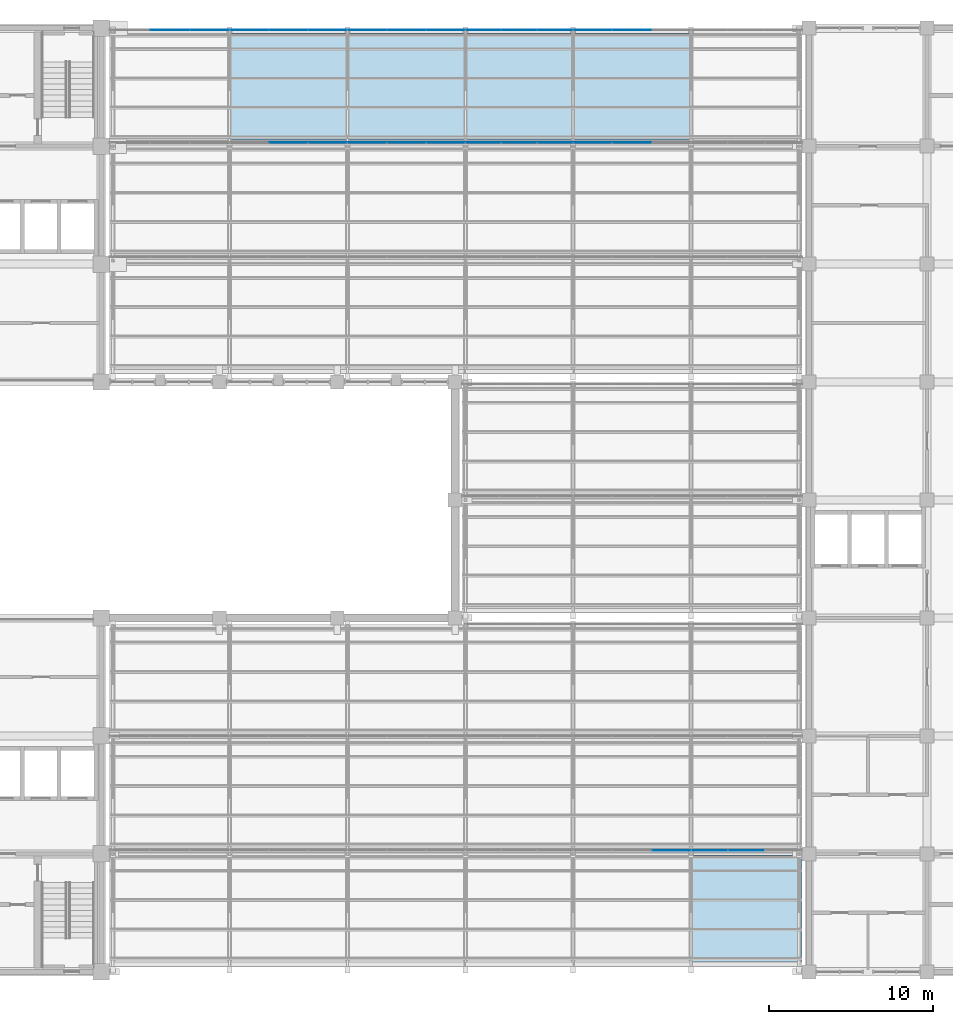
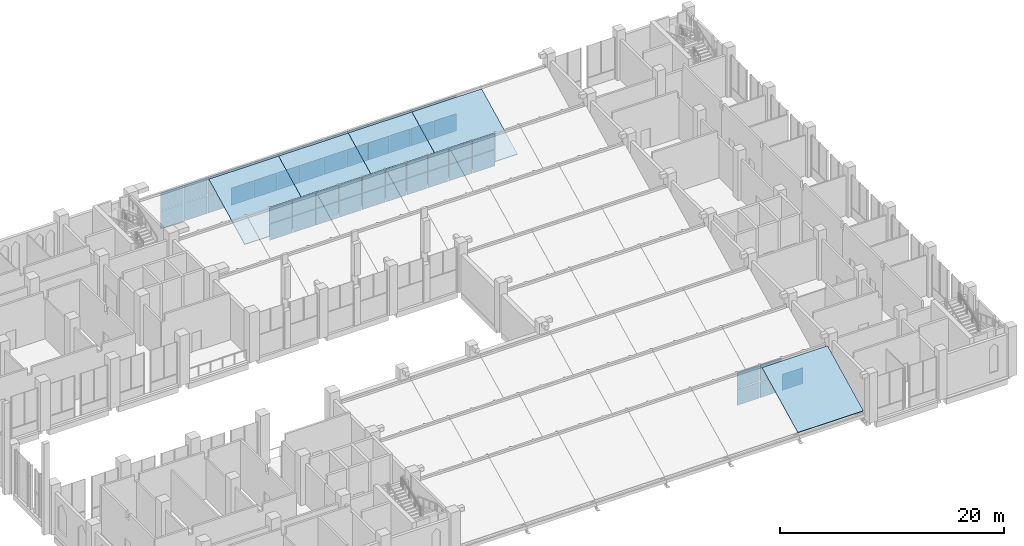
# One storey, part 65 of 83: 51 plates, 5 slabs, 11 elements without a shape of their own.
"""IFC4 building model written with IfcOpenShell, lengths in metres."""

from ifc_helpers import new_model, si_unit, direction, frame, origin, place, context, subcontext, project, spatial, polyline, outline, extrude, material, layer, layer_set, type_object, element, aggregate, save


model = new_model("IFC4")

# Units and contexts
model_context = context("Model", 3, precision=1e-05, world=origin(), true_north=direction((0.0, 1.0)))
body_context = subcontext(model_context, "Body", "Model", "MODEL_VIEW")
ifc_project = project(units=[si_unit("LENGTHUNIT", "METRE"), si_unit("AREAUNIT", "SQUARE_METRE"), si_unit("VOLUMEUNIT", "CUBIC_METRE"), si_unit("PLANEANGLEUNIT", "RADIAN"), si_unit("MASSUNIT", "GRAM", prefix="KILO")], contexts=[model_context])

# Site, building, storey
site_placement = place(None, origin())
site = spatial("IfcSite", under=ifc_project, at=site_placement, CompositionType="ELEMENT")
building_placement = place(site_placement, origin())
building = spatial("IfcBuilding", under=site, at=building_placement, Name="Silangan Lancet Faculty of Sciences", CompositionType="ELEMENT")
storey_placement = place(building_placement, frame((0.0, 0.0, 11.39990234375)))
storey = spatial("IfcBuildingStorey", under=building, at=storey_placement, Name="L02", CompositionType="ELEMENT", Elevation=11.39990234375)

# Curtain wall, plates
ifc_material_1 = material(Name="Aluminium and laminated glass", Category="aluminium")
curtain_wall_type = type_object("IfcCurtainWallType", Name="North light glazing system", PredefinedType="NOTDEFINED", material=ifc_material_1)
curtain_wall_1_placement = place(storey_placement, origin())
curtain_wall_1 = element("IfcCurtainWall", 1, at=curtain_wall_1_placement, inside=storey, type_object=curtain_wall_type, Name="North light glazing NAB-2-4", PredefinedType="NOTDEFINED")
ifc_material_2 = material(Name="Laminated glass 12 + 12", Category="glass")
ifc_layer_1 = layer(ifc_material_2, 0.02392578125)
ifc_layer_set_1 = layer_set([ifc_layer_1], Name="Laminated glass 12 + 12")
plate_type_1 = type_object("IfcPlateType", Name="North light glass panel 2132x1773", PredefinedType="CURTAIN_PANEL", material=ifc_layer_set_1)
plate_1_placement = place(storey_placement, frame((51.054931640625, 50.601318359375, 0.4423828125), z_axis=(0.0, -1.0, 0.0), x_axis=(1.0, 0.0, 0.0)))
plate_1 = element("IfcPlate", 2, at=plate_1_placement, type_object=plate_type_1, Name="North light glass NAB-2-4 1-1", PredefinedType="CURTAIN_PANEL", context=body_context, shape_type="SweptSolid", body=[
    extrude(outline(polyline([(0.0, 0.0), (2.1318359375, 0.0), (2.1318359375, 1.77294921875), (0.0, 1.77294921875), (0.0, 0.0)])), origin(), (0.0, 0.0, -1.0), 0.02392578125),
])
plate_2_placement = place(storey_placement, frame((51.054931640625, 50.601318359375, 2.275390625), z_axis=(0.0, -1.0, 0.0), x_axis=(1.0, 0.0, 0.0)))
plate_2 = element("IfcPlate", 3, at=plate_2_placement, type_object=plate_type_1, Name="North light glass NAB-2-4 2-1", PredefinedType="CURTAIN_PANEL", context=body_context, shape_type="SweptSolid", body=[
    extrude(outline(polyline([(0.0, 0.0), (2.1318359375, 0.0), (2.1318359375, 1.77294921875), (0.0, 1.77294921875), (0.0, 0.0)])), origin(), (0.0, 0.0, -1.0), 0.02392578125),
])
plate_3_placement = place(storey_placement, frame((53.24658203125, 50.601318359375, 0.4423828125), z_axis=(0.0, -1.0, 0.0), x_axis=(1.0, 0.0, 0.0)))
plate_3 = element("IfcPlate", 4, at=plate_3_placement, type_object=plate_type_1, Name="North light glass NAB-2-4 1-2", PredefinedType="CURTAIN_PANEL", context=body_context, shape_type="SweptSolid", body=[
    extrude(outline(polyline([(0.0, 0.0), (2.1318359375, 0.0), (2.1318359375, 1.77294921875), (0.0, 1.77294921875), (0.0, 0.0)])), origin(), (0.0, 0.0, -1.0), 0.02392578125),
])
plate_4_placement = place(storey_placement, frame((53.24658203125, 50.601318359375, 2.275390625), z_axis=(0.0, -1.0, 0.0), x_axis=(1.0, 0.0, 0.0)))
plate_4 = element("IfcPlate", 5, at=plate_4_placement, type_object=plate_type_1, Name="North light glass NAB-2-4 2-2", PredefinedType="CURTAIN_PANEL", context=body_context, shape_type="SweptSolid", body=[
    extrude(outline(polyline([(0.0, 0.0), (2.1318359375, 0.0), (2.1318359375, 1.77294921875), (0.0, 1.77294921875), (0.0, 0.0)])), origin(), (0.0, 0.0, -1.0), 0.02392578125),
])
plate_5_placement = place(storey_placement, frame((55.438232421875, 50.601318359375, 0.4423828125), z_axis=(0.0, -1.0, 0.0), x_axis=(1.0, 0.0, 0.0)))
plate_5 = element("IfcPlate", 6, at=plate_5_placement, type_object=plate_type_1, Name="North light glass NAB-2-4 1-3", PredefinedType="CURTAIN_PANEL", context=body_context, shape_type="SweptSolid", body=[
    extrude(outline(polyline([(0.0, 0.0), (2.1318359375, 0.0), (2.1318359375, 1.77294921875), (0.0, 1.77294921875), (0.0, 0.0)])), origin(), (0.0, 0.0, -1.0), 0.02392578125),
])
plate_6_placement = place(storey_placement, frame((55.438232421875, 50.601318359375, 2.275390625), z_axis=(0.0, -1.0, 0.0), x_axis=(1.0, 0.0, 0.0)))
plate_6 = element("IfcPlate", 7, at=plate_6_placement, type_object=plate_type_1, Name="North light glass NAB-2-4 2-3", PredefinedType="CURTAIN_PANEL", context=body_context, shape_type="SweptSolid", body=[
    extrude(outline(polyline([(0.0, 0.0), (2.1318359375, 0.0), (2.1318359375, 1.77294921875), (0.0, 1.77294921875), (0.0, 0.0)])), origin(), (0.0, 0.0, -1.0), 0.02392578125),
])
aggregate(curtain_wall_1, [plate_1, plate_2, plate_3, plate_4, plate_5, plate_6])

curtain_wall_2_placement = place(storey_placement, origin())
curtain_wall_2 = element("IfcCurtainWall", 8, at=curtain_wall_2_placement, inside=storey, type_object=curtain_wall_type, Name="North light glazing NAB-3-4", PredefinedType="NOTDEFINED")
ifc_material_3 = material(Name="Laminated glass 12 + 12", Category="glass")
ifc_layer_2 = layer(ifc_material_3, 0.02392578125)
ifc_layer_set_2 = layer_set([ifc_layer_2], Name="Laminated glass 12 + 12")
plate_type_2 = type_object("IfcPlateType", Name="North light glass panel 2132x1917", PredefinedType="CURTAIN_PANEL", material=ifc_layer_set_2)
plate_7_placement = place(storey_placement, frame((51.054931640625, 57.472900390625, 0.10009765625), z_axis=(0.0, -1.0, 0.0), x_axis=(1.0, 0.0, 0.0)))
plate_7 = element("IfcPlate", 9, at=plate_7_placement, type_object=plate_type_2, Name="North light glass NAB-3-4 1-1", PredefinedType="CURTAIN_PANEL", context=body_context, shape_type="SweptSolid", body=[
    extrude(outline(polyline([(0.0, 0.0), (2.1318359375, 0.0), (2.1318359375, 1.9169921875), (0.0, 1.9169921875), (0.0, 0.0)])), origin(), (0.0, 0.0, -1.0), 0.02392578125),
])
plate_8_placement = place(storey_placement, frame((51.054931640625, 57.472900390625, 2.0771484375), z_axis=(0.0, -1.0, 0.0), x_axis=(1.0, 0.0, 0.0)))
plate_8 = element("IfcPlate", 10, at=plate_8_placement, type_object=plate_type_2, Name="North light glass NAB-3-4 2-1", PredefinedType="CURTAIN_PANEL", context=body_context, shape_type="SweptSolid", body=[
    extrude(outline(polyline([(0.0, 0.0), (2.1318359375, 0.0), (2.1318359375, 1.9169921875), (0.0, 1.9169921875), (0.0, 0.0)])), origin(), (0.0, 0.0, -1.0), 0.02392578125),
])
plate_9_placement = place(storey_placement, frame((53.24658203125, 57.472900390625, 0.10009765625), z_axis=(0.0, -1.0, 0.0), x_axis=(1.0, 0.0, 0.0)))
plate_9 = element("IfcPlate", 11, at=plate_9_placement, type_object=plate_type_2, Name="North light glass NAB-3-4 1-2", PredefinedType="CURTAIN_PANEL", context=body_context, shape_type="SweptSolid", body=[
    extrude(outline(polyline([(0.0, 0.0), (2.1318359375, 0.0), (2.1318359375, 1.9169921875), (0.0, 1.9169921875), (0.0, 0.0)])), origin(), (0.0, 0.0, -1.0), 0.02392578125),
])
plate_10_placement = place(storey_placement, frame((53.24658203125, 57.472900390625, 2.0771484375), z_axis=(0.0, -1.0, 0.0), x_axis=(1.0, 0.0, 0.0)))
plate_10 = element("IfcPlate", 12, at=plate_10_placement, type_object=plate_type_2, Name="North light glass NAB-3-4 2-2", PredefinedType="CURTAIN_PANEL", context=body_context, shape_type="SweptSolid", body=[
    extrude(outline(polyline([(0.0, 0.0), (2.1318359375, 0.0), (2.1318359375, 1.9169921875), (0.0, 1.9169921875), (0.0, 0.0)])), origin(), (0.0, 0.0, -1.0), 0.02392578125),
])
plate_11_placement = place(storey_placement, frame((55.438232421875, 57.472900390625, 0.10009765625), z_axis=(0.0, -1.0, 0.0), x_axis=(1.0, 0.0, 0.0)))
plate_11 = element("IfcPlate", 13, at=plate_11_placement, type_object=plate_type_2, Name="North light glass NAB-3-4 1-3", PredefinedType="CURTAIN_PANEL", context=body_context, shape_type="SweptSolid", body=[
    extrude(outline(polyline([(0.0, 0.0), (2.1318359375, 0.0), (2.1318359375, 1.9169921875), (0.0, 1.9169921875), (0.0, 0.0)])), origin(), (0.0, 0.0, -1.0), 0.02392578125),
])
plate_12_placement = place(storey_placement, frame((55.438232421875, 57.472900390625, 2.0771484375), z_axis=(0.0, -1.0, 0.0), x_axis=(1.0, 0.0, 0.0)))
plate_12 = element("IfcPlate", 14, at=plate_12_placement, type_object=plate_type_2, Name="North light glass NAB-3-4 2-3", PredefinedType="CURTAIN_PANEL", context=body_context, shape_type="SweptSolid", body=[
    extrude(outline(polyline([(0.0, 0.0), (2.1318359375, 0.0), (2.1318359375, 1.9169921875), (0.0, 1.9169921875), (0.0, 0.0)])), origin(), (0.0, 0.0, -1.0), 0.02392578125),
])
aggregate(curtain_wall_2, [plate_7, plate_8, plate_9, plate_10, plate_11, plate_12])

curtain_wall_3_placement = place(storey_placement, origin())
curtain_wall_3 = element("IfcCurtainWall", 15, at=curtain_wall_3_placement, inside=storey, type_object=curtain_wall_type, Name="North light glazing SAB-1-6", PredefinedType="NOTDEFINED")
ifc_material_4 = material(Name="Laminated glass 12 + 12", Category="glass")
ifc_layer_3 = layer(ifc_material_4, 0.02392578125)
ifc_layer_set_3 = layer_set([ifc_layer_3], Name="Laminated glass 12 + 12")
plate_type_3 = type_object("IfcPlateType", Name="North light glass panel 2188x1768", PredefinedType="CURTAIN_PANEL", material=ifc_layer_set_3)
plate_13_placement = place(storey_placement, frame((64.830078125, 7.40478515625, 0.4423828125), z_axis=(0.0, -1.0, 0.0), x_axis=(1.0, 0.0, 0.0)))
plate_13 = element("IfcPlate", 16, at=plate_13_placement, type_object=plate_type_3, Name="North light glass SAB-1-6 1-1", PredefinedType="CURTAIN_PANEL", context=body_context, shape_type="SweptSolid", body=[
    extrude(outline(polyline([(0.0, 0.0), (2.188232421875, 0.0), (2.188232421875, 1.76806640625), (0.0, 1.76806640625), (0.0, 0.0)])), origin(), (0.0, 0.0, -1.0), 0.02392578125),
])
plate_14_placement = place(storey_placement, frame((64.830078125, 7.40478515625, 2.2705078125), z_axis=(0.0, -1.0, 0.0), x_axis=(1.0, 0.0, 0.0)))
plate_14 = element("IfcPlate", 17, at=plate_14_placement, type_object=plate_type_3, Name="North light glass SAB-1-6 2-1", PredefinedType="CURTAIN_PANEL", context=body_context, shape_type="SweptSolid", body=[
    extrude(outline(polyline([(0.0, 0.0), (2.188232421875, 0.0), (2.188232421875, 1.767822265625), (0.0, 1.767822265625), (0.0, 0.0)])), origin(), (0.0, 0.0, -1.0), 0.02392578125),
])
plate_15_placement = place(storey_placement, frame((67.078369140625, 7.40478515625, 0.4423828125), z_axis=(0.0, -1.0, 0.0), x_axis=(1.0, 0.0, 0.0)))
plate_15 = element("IfcPlate", 18, at=plate_15_placement, type_object=plate_type_3, Name="North light glass SAB-1-6 1-2", PredefinedType="CURTAIN_PANEL", context=body_context, shape_type="SweptSolid", body=[
    extrude(outline(polyline([(0.0, 0.0), (2.188232421875, 0.0), (2.188232421875, 1.76806640625), (0.0, 1.76806640625), (0.0, 0.0)])), origin(), (0.0, 0.0, -1.0), 0.02392578125),
])
aggregate(curtain_wall_3, [plate_13, plate_14, plate_15])

curtain_wall_4_placement = place(storey_placement, origin())
curtain_wall_4 = element("IfcCurtainWall", 19, at=curtain_wall_4_placement, inside=storey, type_object=curtain_wall_type, Name="North light glazing SAB-1-5", PredefinedType="NOTDEFINED")
ifc_material_5 = material(Name="Laminated glass 12 + 12", Category="glass")
ifc_layer_4 = layer(ifc_material_5, 0.02392578125)
ifc_layer_set_4 = layer_set([ifc_layer_4], Name="Laminated glass 12 + 12")
plate_type_4 = type_object("IfcPlateType", Name="North light glass panel 2340x1768", PredefinedType="CURTAIN_PANEL", material=ifc_layer_set_4)
plate_16_placement = place(storey_placement, frame((62.429931640625, 7.40478515625, 0.4423828125), z_axis=(0.0, -1.0, 0.0), x_axis=(1.0, 0.0, 0.0)))
plate_16 = element("IfcPlate", 20, at=plate_16_placement, type_object=plate_type_4, Name="North light glass SAB-1-5 1-3", PredefinedType="CURTAIN_PANEL", context=body_context, shape_type="SweptSolid", body=[
    extrude(outline(polyline([(0.0, 0.0), (2.340087890625, 0.0), (2.340087890625, 1.76806640625), (0.0, 1.76806640625), (0.0, 0.0)])), origin(), (0.0, 0.0, -1.0), 0.02392578125),
])
plate_17_placement = place(storey_placement, frame((62.429931640625, 7.40478515625, 2.2705078125), z_axis=(0.0, -1.0, 0.0), x_axis=(1.0, 0.0, 0.0)))
plate_17 = element("IfcPlate", 21, at=plate_17_placement, type_object=plate_type_4, Name="North light glass SAB-1-5 2-3", PredefinedType="CURTAIN_PANEL", context=body_context, shape_type="SweptSolid", body=[
    extrude(outline(polyline([(0.0, 0.0), (2.340087890625, 0.0), (2.340087890625, 1.767822265625), (0.0, 1.767822265625), (0.0, 0.0)])), origin(), (0.0, 0.0, -1.0), 0.02392578125),
])
aggregate(curtain_wall_4, [plate_16, plate_17])

curtain_wall_5_placement = place(storey_placement, origin())
curtain_wall_5 = element("IfcCurtainWall", 22, at=curtain_wall_5_placement, inside=storey, type_object=curtain_wall_type, Name="North light glazing NAB-2-2", PredefinedType="NOTDEFINED")
ifc_material_6 = material(Name="Laminated glass 12 + 12", Category="glass")
ifc_layer_5 = layer(ifc_material_6, 0.02392578125)
ifc_layer_set_5 = layer_set([ifc_layer_5], Name="Laminated glass 12 + 12")
plate_type_5 = type_object("IfcPlateType", Name="North light glass panel 2340x1773", PredefinedType="CURTAIN_PANEL", material=ifc_layer_set_5)
plate_18_placement = place(storey_placement, frame((39.054931640625, 50.601318359375, 0.4423828125), z_axis=(0.0, -1.0, 0.0), x_axis=(1.0, 0.0, 0.0)))
plate_18 = element("IfcPlate", 23, at=plate_18_placement, type_object=plate_type_5, Name="North light glass NAB-2-2 1-2", PredefinedType="CURTAIN_PANEL", context=body_context, shape_type="SweptSolid", body=[
    extrude(outline(polyline([(0.0, 0.0), (2.340087890625, 0.0), (2.340087890625, 1.77294921875), (0.0, 1.77294921875), (0.0, 0.0)])), origin(), (0.0, 0.0, -1.0), 0.02392578125),
])
plate_19_placement = place(storey_placement, frame((39.054931640625, 50.601318359375, 2.275390625), z_axis=(0.0, -1.0, 0.0), x_axis=(1.0, 0.0, 0.0)))
plate_19 = element("IfcPlate", 24, at=plate_19_placement, type_object=plate_type_5, Name="North light glass NAB-2-2 2-2", PredefinedType="CURTAIN_PANEL", context=body_context, shape_type="SweptSolid", body=[
    extrude(outline(polyline([(0.0, 0.0), (2.340087890625, 0.0), (2.340087890625, 1.77294921875), (0.0, 1.77294921875), (0.0, 0.0)])), origin(), (0.0, 0.0, -1.0), 0.02392578125),
])
plate_20_placement = place(storey_placement, frame((41.455078125, 50.601318359375, 0.4423828125), z_axis=(0.0, -1.0, 0.0), x_axis=(1.0, 0.0, 0.0)))
plate_20 = element("IfcPlate", 25, at=plate_20_placement, type_object=plate_type_5, Name="North light glass NAB-2-2 1-3", PredefinedType="CURTAIN_PANEL", context=body_context, shape_type="SweptSolid", body=[
    extrude(outline(polyline([(0.0, 0.0), (2.33984375, 0.0), (2.33984375, 1.77294921875), (0.0, 1.77294921875), (0.0, 0.0)])), origin(), (0.0, 0.0, -1.0), 0.02392578125),
])
plate_21_placement = place(storey_placement, frame((41.455078125, 50.601318359375, 2.275390625), z_axis=(0.0, -1.0, 0.0), x_axis=(1.0, 0.0, 0.0)))
plate_21 = element("IfcPlate", 26, at=plate_21_placement, type_object=plate_type_5, Name="North light glass NAB-2-2 2-3", PredefinedType="CURTAIN_PANEL", context=body_context, shape_type="SweptSolid", body=[
    extrude(outline(polyline([(0.0, 0.0), (2.33984375, 0.0), (2.33984375, 1.77294921875), (0.0, 1.77294921875), (0.0, 0.0)])), origin(), (0.0, 0.0, -1.0), 0.02392578125),
])
aggregate(curtain_wall_5, [plate_18, plate_19, plate_20, plate_21])

curtain_wall_6_placement = place(storey_placement, origin())
curtain_wall_6 = element("IfcCurtainWall", 27, at=curtain_wall_6_placement, inside=storey, type_object=curtain_wall_type, Name="North light glazing NAB-2-3", PredefinedType="NOTDEFINED")
plate_22_placement = place(storey_placement, frame((43.85498046875, 50.601318359375, 0.4423828125), z_axis=(0.0, -1.0, 0.0), x_axis=(1.0, 0.0, 0.0)))
plate_22 = element("IfcPlate", 28, at=plate_22_placement, type_object=plate_type_5, Name="North light glass NAB-2-3 1-1", PredefinedType="CURTAIN_PANEL", context=body_context, shape_type="SweptSolid", body=[
    extrude(outline(polyline([(0.0, 0.0), (2.340087890625, 0.0), (2.340087890625, 1.77294921875), (0.0, 1.77294921875), (0.0, 0.0)])), origin(), (0.0, 0.0, -1.0), 0.02392578125),
])
plate_23_placement = place(storey_placement, frame((43.85498046875, 50.601318359375, 2.275390625), z_axis=(0.0, -1.0, 0.0), x_axis=(1.0, 0.0, 0.0)))
plate_23 = element("IfcPlate", 29, at=plate_23_placement, type_object=plate_type_5, Name="North light glass NAB-2-3 2-1", PredefinedType="CURTAIN_PANEL", context=body_context, shape_type="SweptSolid", body=[
    extrude(outline(polyline([(0.0, 0.0), (2.340087890625, 0.0), (2.340087890625, 1.77294921875), (0.0, 1.77294921875), (0.0, 0.0)])), origin(), (0.0, 0.0, -1.0), 0.02392578125),
])
plate_24_placement = place(storey_placement, frame((46.2548828125, 50.601318359375, 0.4423828125), z_axis=(0.0, -1.0, 0.0), x_axis=(1.0, 0.0, 0.0)))
plate_24 = element("IfcPlate", 30, at=plate_24_placement, type_object=plate_type_5, Name="North light glass NAB-2-3 1-2", PredefinedType="CURTAIN_PANEL", context=body_context, shape_type="SweptSolid", body=[
    extrude(outline(polyline([(0.0, 0.0), (2.340087890625, 0.0), (2.340087890625, 1.77294921875), (0.0, 1.77294921875), (0.0, 0.0)])), origin(), (0.0, 0.0, -1.0), 0.02392578125),
])
plate_25_placement = place(storey_placement, frame((46.2548828125, 50.601318359375, 2.275390625), z_axis=(0.0, -1.0, 0.0), x_axis=(1.0, 0.0, 0.0)))
plate_25 = element("IfcPlate", 31, at=plate_25_placement, type_object=plate_type_5, Name="North light glass NAB-2-3 2-2", PredefinedType="CURTAIN_PANEL", context=body_context, shape_type="SweptSolid", body=[
    extrude(outline(polyline([(0.0, 0.0), (2.340087890625, 0.0), (2.340087890625, 1.77294921875), (0.0, 1.77294921875), (0.0, 0.0)])), origin(), (0.0, 0.0, -1.0), 0.02392578125),
])
plate_26_placement = place(storey_placement, frame((48.655029296875, 50.601318359375, 0.4423828125), z_axis=(0.0, -1.0, 0.0), x_axis=(1.0, 0.0, 0.0)))
plate_26 = element("IfcPlate", 32, at=plate_26_placement, type_object=plate_type_5, Name="North light glass NAB-2-3 1-3", PredefinedType="CURTAIN_PANEL", context=body_context, shape_type="SweptSolid", body=[
    extrude(outline(polyline([(0.0, 0.0), (2.340087890625, 0.0), (2.340087890625, 1.77294921875), (0.0, 1.77294921875), (0.0, 0.0)])), origin(), (0.0, 0.0, -1.0), 0.02392578125),
])
plate_27_placement = place(storey_placement, frame((48.655029296875, 50.601318359375, 2.275390625), z_axis=(0.0, -1.0, 0.0), x_axis=(1.0, 0.0, 0.0)))
plate_27 = element("IfcPlate", 33, at=plate_27_placement, type_object=plate_type_5, Name="North light glass NAB-2-3 2-3", PredefinedType="CURTAIN_PANEL", context=body_context, shape_type="SweptSolid", body=[
    extrude(outline(polyline([(0.0, 0.0), (2.340087890625, 0.0), (2.340087890625, 1.77294921875), (0.0, 1.77294921875), (0.0, 0.0)])), origin(), (0.0, 0.0, -1.0), 0.02392578125),
])
aggregate(curtain_wall_6, [plate_22, plate_23, plate_24, plate_25, plate_26, plate_27])

curtain_wall_7_placement = place(storey_placement, origin())
curtain_wall_7 = element("IfcCurtainWall", 34, at=curtain_wall_7_placement, inside=storey, type_object=curtain_wall_type, Name="North light glazing NAB-2-5", PredefinedType="NOTDEFINED")
plate_28_placement = place(storey_placement, frame((57.6298828125, 50.601318359375, 0.4423828125), z_axis=(0.0, -1.0, 0.0), x_axis=(1.0, 0.0, 0.0)))
plate_28 = element("IfcPlate", 35, at=plate_28_placement, type_object=plate_type_5, Name="North light glass NAB-2-5 1-1", PredefinedType="CURTAIN_PANEL", context=body_context, shape_type="SweptSolid", body=[
    extrude(outline(polyline([(0.0, 0.0), (2.340087890625, 0.0), (2.340087890625, 1.77294921875), (0.0, 1.77294921875), (0.0, 0.0)])), origin(), (0.0, 0.0, -1.0), 0.02392578125),
])
plate_29_placement = place(storey_placement, frame((57.6298828125, 50.601318359375, 2.275390625), z_axis=(0.0, -1.0, 0.0), x_axis=(1.0, 0.0, 0.0)))
plate_29 = element("IfcPlate", 36, at=plate_29_placement, type_object=plate_type_5, Name="North light glass NAB-2-5 2-1", PredefinedType="CURTAIN_PANEL", context=body_context, shape_type="SweptSolid", body=[
    extrude(outline(polyline([(0.0, 0.0), (2.340087890625, 0.0), (2.340087890625, 1.77294921875), (0.0, 1.77294921875), (0.0, 0.0)])), origin(), (0.0, 0.0, -1.0), 0.02392578125),
])
plate_30_placement = place(storey_placement, frame((60.030029296875, 50.601318359375, 0.4423828125), z_axis=(0.0, -1.0, 0.0), x_axis=(1.0, 0.0, 0.0)))
plate_30 = element("IfcPlate", 37, at=plate_30_placement, type_object=plate_type_5, Name="North light glass NAB-2-5 1-2", PredefinedType="CURTAIN_PANEL", context=body_context, shape_type="SweptSolid", body=[
    extrude(outline(polyline([(0.0, 0.0), (2.340087890625, 0.0), (2.340087890625, 1.77294921875), (0.0, 1.77294921875), (0.0, 0.0)])), origin(), (0.0, 0.0, -1.0), 0.02392578125),
])
plate_31_placement = place(storey_placement, frame((60.030029296875, 50.601318359375, 2.275390625), z_axis=(0.0, -1.0, 0.0), x_axis=(1.0, 0.0, 0.0)))
plate_31 = element("IfcPlate", 38, at=plate_31_placement, type_object=plate_type_5, Name="North light glass NAB-2-5 2-2", PredefinedType="CURTAIN_PANEL", context=body_context, shape_type="SweptSolid", body=[
    extrude(outline(polyline([(0.0, 0.0), (2.340087890625, 0.0), (2.340087890625, 1.77294921875), (0.0, 1.77294921875), (0.0, 0.0)])), origin(), (0.0, 0.0, -1.0), 0.02392578125),
])
aggregate(curtain_wall_7, [plate_28, plate_29, plate_30, plate_31])

curtain_wall_8_placement = place(storey_placement, origin())
curtain_wall_8 = element("IfcCurtainWall", 39, at=curtain_wall_8_placement, inside=storey, type_object=curtain_wall_type, Name="North light glazing NAB-3-2", PredefinedType="NOTDEFINED")
ifc_material_7 = material(Name="Laminated glass 12 + 12", Category="glass")
ifc_layer_6 = layer(ifc_material_7, 0.02392578125)
ifc_layer_set_6 = layer_set([ifc_layer_6], Name="Laminated glass 12 + 12")
plate_type_6 = type_object("IfcPlateType", Name="North light glass panel 2340x1917", PredefinedType="CURTAIN_PANEL", material=ifc_layer_set_6)
plate_32_placement = place(storey_placement, frame((36.655029296875, 57.472900390625, 0.10009765625), z_axis=(0.0, -1.0, 0.0), x_axis=(1.0, 0.0, 0.0)))
plate_32 = element("IfcPlate", 40, at=plate_32_placement, type_object=plate_type_6, Name="North light glass NAB-3-2 1-1", PredefinedType="CURTAIN_PANEL", context=body_context, shape_type="SweptSolid", body=[
    extrude(outline(polyline([(0.0, 0.0), (2.340087890625, 0.0), (2.340087890625, 1.9169921875), (0.0, 1.9169921875), (0.0, 0.0)])), origin(), (0.0, 0.0, -1.0), 0.02392578125),
])
plate_33_placement = place(storey_placement, frame((36.655029296875, 57.472900390625, 2.0771484375), z_axis=(0.0, -1.0, 0.0), x_axis=(1.0, 0.0, 0.0)))
plate_33 = element("IfcPlate", 41, at=plate_33_placement, type_object=plate_type_6, Name="North light glass NAB-3-2 2-1", PredefinedType="CURTAIN_PANEL", context=body_context, shape_type="SweptSolid", body=[
    extrude(outline(polyline([(0.0, 0.0), (2.340087890625, 0.0), (2.340087890625, 1.9169921875), (0.0, 1.9169921875), (0.0, 0.0)])), origin(), (0.0, 0.0, -1.0), 0.02392578125),
])
plate_34_placement = place(storey_placement, frame((39.054931640625, 57.472900390625, 0.10009765625), z_axis=(0.0, -1.0, 0.0), x_axis=(1.0, 0.0, 0.0)))
plate_34 = element("IfcPlate", 42, at=plate_34_placement, type_object=plate_type_6, Name="North light glass NAB-3-2 1-2", PredefinedType="CURTAIN_PANEL", context=body_context, shape_type="SweptSolid", body=[
    extrude(outline(polyline([(0.0, 0.0), (2.340087890625, 0.0), (2.340087890625, 1.9169921875), (0.0, 1.9169921875), (0.0, 0.0)])), origin(), (0.0, 0.0, -1.0), 0.02392578125),
])
plate_35_placement = place(storey_placement, frame((39.054931640625, 57.472900390625, 2.0771484375), z_axis=(0.0, -1.0, 0.0), x_axis=(1.0, 0.0, 0.0)))
plate_35 = element("IfcPlate", 43, at=plate_35_placement, type_object=plate_type_6, Name="North light glass NAB-3-2 2-2", PredefinedType="CURTAIN_PANEL", context=body_context, shape_type="SweptSolid", body=[
    extrude(outline(polyline([(0.0, 0.0), (2.340087890625, 0.0), (2.340087890625, 1.9169921875), (0.0, 1.9169921875), (0.0, 0.0)])), origin(), (0.0, 0.0, -1.0), 0.02392578125),
])
plate_36_placement = place(storey_placement, frame((41.455078125, 57.472900390625, 0.10009765625), z_axis=(0.0, -1.0, 0.0), x_axis=(1.0, 0.0, 0.0)))
plate_36 = element("IfcPlate", 44, at=plate_36_placement, type_object=plate_type_6, Name="North light glass NAB-3-2 1-3", PredefinedType="CURTAIN_PANEL", context=body_context, shape_type="SweptSolid", body=[
    extrude(outline(polyline([(0.0, 0.0), (2.33984375, 0.0), (2.33984375, 1.9169921875), (0.0, 1.9169921875), (0.0, 0.0)])), origin(), (0.0, 0.0, -1.0), 0.02392578125),
])
plate_37_placement = place(storey_placement, frame((41.455078125, 57.472900390625, 2.0771484375), z_axis=(0.0, -1.0, 0.0), x_axis=(1.0, 0.0, 0.0)))
plate_37 = element("IfcPlate", 45, at=plate_37_placement, type_object=plate_type_6, Name="North light glass NAB-3-2 2-3", PredefinedType="CURTAIN_PANEL", context=body_context, shape_type="SweptSolid", body=[
    extrude(outline(polyline([(0.0, 0.0), (2.33984375, 0.0), (2.33984375, 1.9169921875), (0.0, 1.9169921875), (0.0, 0.0)])), origin(), (0.0, 0.0, -1.0), 0.02392578125),
])
aggregate(curtain_wall_8, [plate_32, plate_33, plate_34, plate_35, plate_36, plate_37])

curtain_wall_9_placement = place(storey_placement, origin())
curtain_wall_9 = element("IfcCurtainWall", 46, at=curtain_wall_9_placement, inside=storey, type_object=curtain_wall_type, Name="North light glazing NAB-3-3", PredefinedType="NOTDEFINED")
plate_38_placement = place(storey_placement, frame((43.85498046875, 57.472900390625, 0.10009765625), z_axis=(0.0, -1.0, 0.0), x_axis=(1.0, 0.0, 0.0)))
plate_38 = element("IfcPlate", 47, at=plate_38_placement, type_object=plate_type_6, Name="North light glass NAB-3-3 1-1", PredefinedType="CURTAIN_PANEL", context=body_context, shape_type="SweptSolid", body=[
    extrude(outline(polyline([(0.0, 0.0), (2.340087890625, 0.0), (2.340087890625, 1.9169921875), (0.0, 1.9169921875), (0.0, 0.0)])), origin(), (0.0, 0.0, -1.0), 0.02392578125),
])
plate_39_placement = place(storey_placement, frame((43.85498046875, 57.472900390625, 2.0771484375), z_axis=(0.0, -1.0, 0.0), x_axis=(1.0, 0.0, 0.0)))
plate_39 = element("IfcPlate", 48, at=plate_39_placement, type_object=plate_type_6, Name="North light glass NAB-3-3 2-1", PredefinedType="CURTAIN_PANEL", context=body_context, shape_type="SweptSolid", body=[
    extrude(outline(polyline([(0.0, 0.0), (2.340087890625, 0.0), (2.340087890625, 1.9169921875), (0.0, 1.9169921875), (0.0, 0.0)])), origin(), (0.0, 0.0, -1.0), 0.02392578125),
])
plate_40_placement = place(storey_placement, frame((46.2548828125, 57.472900390625, 0.10009765625), z_axis=(0.0, -1.0, 0.0), x_axis=(1.0, 0.0, 0.0)))
plate_40 = element("IfcPlate", 49, at=plate_40_placement, type_object=plate_type_6, Name="North light glass NAB-3-3 1-2", PredefinedType="CURTAIN_PANEL", context=body_context, shape_type="SweptSolid", body=[
    extrude(outline(polyline([(0.0, 0.0), (2.340087890625, 0.0), (2.340087890625, 1.9169921875), (0.0, 1.9169921875), (0.0, 0.0)])), origin(), (0.0, 0.0, -1.0), 0.02392578125),
])
plate_41_placement = place(storey_placement, frame((46.2548828125, 57.472900390625, 2.0771484375), z_axis=(0.0, -1.0, 0.0), x_axis=(1.0, 0.0, 0.0)))
plate_41 = element("IfcPlate", 50, at=plate_41_placement, type_object=plate_type_6, Name="North light glass NAB-3-3 2-2", PredefinedType="CURTAIN_PANEL", context=body_context, shape_type="SweptSolid", body=[
    extrude(outline(polyline([(0.0, 0.0), (2.340087890625, 0.0), (2.340087890625, 1.9169921875), (0.0, 1.9169921875), (0.0, 0.0)])), origin(), (0.0, 0.0, -1.0), 0.02392578125),
])
plate_42_placement = place(storey_placement, frame((48.655029296875, 57.472900390625, 0.10009765625), z_axis=(0.0, -1.0, 0.0), x_axis=(1.0, 0.0, 0.0)))
plate_42 = element("IfcPlate", 51, at=plate_42_placement, type_object=plate_type_6, Name="North light glass NAB-3-3 1-3", PredefinedType="CURTAIN_PANEL", context=body_context, shape_type="SweptSolid", body=[
    extrude(outline(polyline([(0.0, 0.0), (2.340087890625, 0.0), (2.340087890625, 1.9169921875), (0.0, 1.9169921875), (0.0, 0.0)])), origin(), (0.0, 0.0, -1.0), 0.02392578125),
])
plate_43_placement = place(storey_placement, frame((48.655029296875, 57.472900390625, 2.0771484375), z_axis=(0.0, -1.0, 0.0), x_axis=(1.0, 0.0, 0.0)))
plate_43 = element("IfcPlate", 52, at=plate_43_placement, type_object=plate_type_6, Name="North light glass NAB-3-3 2-3", PredefinedType="CURTAIN_PANEL", context=body_context, shape_type="SweptSolid", body=[
    extrude(outline(polyline([(0.0, 0.0), (2.340087890625, 0.0), (2.340087890625, 1.9169921875), (0.0, 1.9169921875), (0.0, 0.0)])), origin(), (0.0, 0.0, -1.0), 0.02392578125),
])
aggregate(curtain_wall_9, [plate_38, plate_39, plate_40, plate_41, plate_42, plate_43])

curtain_wall_10_placement = place(storey_placement, origin())
curtain_wall_10 = element("IfcCurtainWall", 53, at=curtain_wall_10_placement, inside=storey, type_object=curtain_wall_type, Name="North light glazing NAB-3-5", PredefinedType="NOTDEFINED")
plate_44_placement = place(storey_placement, frame((57.6298828125, 57.472900390625, 0.10009765625), z_axis=(0.0, -1.0, 0.0), x_axis=(1.0, 0.0, 0.0)))
plate_44 = element("IfcPlate", 54, at=plate_44_placement, type_object=plate_type_6, Name="North light glass NAB-3-5 1-1", PredefinedType="CURTAIN_PANEL", context=body_context, shape_type="SweptSolid", body=[
    extrude(outline(polyline([(0.0, 0.0), (2.340087890625, 0.0), (2.340087890625, 1.9169921875), (0.0, 1.9169921875), (0.0, 0.0)])), origin(), (0.0, 0.0, -1.0), 0.02392578125),
])
plate_45_placement = place(storey_placement, frame((57.6298828125, 57.472900390625, 2.0771484375), z_axis=(0.0, -1.0, 0.0), x_axis=(1.0, 0.0, 0.0)))
plate_45 = element("IfcPlate", 55, at=plate_45_placement, type_object=plate_type_6, Name="North light glass NAB-3-5 2-1", PredefinedType="CURTAIN_PANEL", context=body_context, shape_type="SweptSolid", body=[
    extrude(outline(polyline([(0.0, 0.0), (2.340087890625, 0.0), (2.340087890625, 1.9169921875), (0.0, 1.9169921875), (0.0, 0.0)])), origin(), (0.0, 0.0, -1.0), 0.02392578125),
])
plate_46_placement = place(storey_placement, frame((60.030029296875, 57.472900390625, 0.10009765625), z_axis=(0.0, -1.0, 0.0), x_axis=(1.0, 0.0, 0.0)))
plate_46 = element("IfcPlate", 56, at=plate_46_placement, type_object=plate_type_6, Name="North light glass NAB-3-5 1-2", PredefinedType="CURTAIN_PANEL", context=body_context, shape_type="SweptSolid", body=[
    extrude(outline(polyline([(0.0, 0.0), (2.340087890625, 0.0), (2.340087890625, 1.9169921875), (0.0, 1.9169921875), (0.0, 0.0)])), origin(), (0.0, 0.0, -1.0), 0.02392578125),
])
plate_47_placement = place(storey_placement, frame((60.030029296875, 57.472900390625, 2.0771484375), z_axis=(0.0, -1.0, 0.0), x_axis=(1.0, 0.0, 0.0)))
plate_47 = element("IfcPlate", 57, at=plate_47_placement, type_object=plate_type_6, Name="North light glass NAB-3-5 2-2", PredefinedType="CURTAIN_PANEL", context=body_context, shape_type="SweptSolid", body=[
    extrude(outline(polyline([(0.0, 0.0), (2.340087890625, 0.0), (2.340087890625, 1.9169921875), (0.0, 1.9169921875), (0.0, 0.0)])), origin(), (0.0, 0.0, -1.0), 0.02392578125),
])
aggregate(curtain_wall_10, [plate_44, plate_45, plate_46, plate_47])

curtain_wall_11_placement = place(storey_placement, origin())
curtain_wall_11 = element("IfcCurtainWall", 58, at=curtain_wall_11_placement, inside=storey, type_object=curtain_wall_type, Name="North light glazing NAB-3-1", PredefinedType="NOTDEFINED")
ifc_material_8 = material(Name="Laminated glass 12 + 12", Category="glass")
ifc_layer_7 = layer(ifc_material_8, 0.02392578125)
ifc_layer_set_7 = layer_set([ifc_layer_7], Name="Laminated glass 12 + 12")
plate_type_7 = type_object("IfcPlateType", Name="North light glass panel 2372x1917", PredefinedType="CURTAIN_PANEL", material=ifc_layer_set_7)
plate_48_placement = place(storey_placement, frame((31.791748046875, 57.472900390625, 0.10009765625), z_axis=(0.0, -1.0, 0.0), x_axis=(1.0, 0.0, 0.0)))
plate_48 = element("IfcPlate", 59, at=plate_48_placement, type_object=plate_type_7, Name="North light glass NAB-3-1 1-2", PredefinedType="CURTAIN_PANEL", context=body_context, shape_type="SweptSolid", body=[
    extrude(outline(polyline([(0.0, 0.0), (2.37158203125, 0.0), (2.37158203125, 1.9169921875), (0.0, 1.9169921875), (0.0, 0.0)])), origin(), (0.0, 0.0, -1.0), 0.02392578125),
])
plate_49_placement = place(storey_placement, frame((31.791748046875, 57.472900390625, 2.0771484375), z_axis=(0.0, -1.0, 0.0), x_axis=(1.0, 0.0, 0.0)))
plate_49 = element("IfcPlate", 60, at=plate_49_placement, type_object=plate_type_7, Name="North light glass NAB-3-1 2-2", PredefinedType="CURTAIN_PANEL", context=body_context, shape_type="SweptSolid", body=[
    extrude(outline(polyline([(0.0, 0.0), (2.37158203125, 0.0), (2.37158203125, 1.9169921875), (0.0, 1.9169921875), (0.0, 0.0)])), origin(), (0.0, 0.0, -1.0), 0.02392578125),
])
plate_50_placement = place(storey_placement, frame((34.223388671875, 57.472900390625, 0.10009765625), z_axis=(0.0, -1.0, 0.0), x_axis=(1.0, 0.0, 0.0)))
plate_50 = element("IfcPlate", 61, at=plate_50_placement, type_object=plate_type_7, Name="North light glass NAB-3-1 1-3", PredefinedType="CURTAIN_PANEL", context=body_context, shape_type="SweptSolid", body=[
    extrude(outline(polyline([(0.0, 0.0), (2.37158203125, 0.0), (2.37158203125, 1.9169921875), (0.0, 1.9169921875), (0.0, 0.0)])), origin(), (0.0, 0.0, -1.0), 0.02392578125),
])
plate_51_placement = place(storey_placement, frame((34.223388671875, 57.472900390625, 2.0771484375), z_axis=(0.0, -1.0, 0.0), x_axis=(1.0, 0.0, 0.0)))
plate_51 = element("IfcPlate", 62, at=plate_51_placement, type_object=plate_type_7, Name="North light glass NAB-3-1 2-3", PredefinedType="CURTAIN_PANEL", context=body_context, shape_type="SweptSolid", body=[
    extrude(outline(polyline([(0.0, 0.0), (2.37158203125, 0.0), (2.37158203125, 1.9169921875), (0.0, 1.9169921875), (0.0, 0.0)])), origin(), (0.0, 0.0, -1.0), 0.02392578125),
])
aggregate(curtain_wall_11, [plate_48, plate_49, plate_50, plate_51])

# Slabs
ifc_material_9 = material(Name="Insulated cold-formed steel roof sheeting", Category="steel")
ifc_layer_8 = layer(ifc_material_9, 0.10009765625)
ifc_layer_set_8 = layer_set([ifc_layer_8], Name="Insulated cold-formed steel roof sheeting")
slab_type = type_object("IfcSlabType", Name="Roof sheeting panel 100", PredefinedType="ROOF", material=ifc_layer_set_8)
slab_1_placement = place(storey_placement, frame((64.800048828125, 0.6298828125, 0.770263671875), z_axis=(0.0, -0.4472135955, 0.894427191), x_axis=(1.0, 0.0, 0.0)))
element("IfcSlab", 63, at=slab_1_placement, inside=storey, type_object=slab_type, Name="Roof sheeting SAB-1-6", PredefinedType="ROOF", context=body_context, shape_type="SweptSolid", body=[
    extrude(outline(polyline([(0.0, 0.0), (6.77490234375, 0.0), (6.77490234375, 7.174415371167538), (0.0, 7.174415371167538), (0.0, 0.0)])), origin(), (0.0, 0.0, -1.0), 0.10009765625),
])
for number, where, z_axis, x_axis, name in (
    (64, (36.625, 50.788330078125, 0.770263671875), (0.0, -0.4472135955, 0.894427191), (1.0, 0.0, 0.0), "Roof sheeting NAB-3-2"),
    (65, (43.824951171875, 50.788330078125, 0.770263671875), (0.0, -0.4472135955, 0.894427191), (1.0, 0.0, 0.0), "Roof sheeting NAB-3-3"),
):
    element("IfcSlab", number, at=place(storey_placement, frame(where, z_axis=z_axis, x_axis=x_axis)), inside=storey, type_object=slab_type, Name=name, PredefinedType="ROOF", context=body_context, shape_type="SweptSolid", body=[
        extrude(outline(polyline([(0.0, 0.0), (7.199951171875, 0.0), (7.199951171875, 7.1967978875438785), (0.0, 7.1967978875438785), (0.0, 0.0)])), origin(), (0.0, 0.0, -1.0), 0.10009765625),
    ])
slab_2_placement = place(storey_placement, frame((51.02490234375, 50.788330078125, 0.770263671875), z_axis=(0.0, -0.4472135955, 0.894427191), x_axis=(1.0, 0.0, 0.0)))
element("IfcSlab", 66, at=slab_2_placement, inside=storey, type_object=slab_type, Name="Roof sheeting NAB-3-4", PredefinedType="ROOF", context=body_context, shape_type="SweptSolid", body=[
    extrude(outline(polyline([(0.0, 0.0), (6.5751953125, 0.0), (6.5751953125, 7.1967978875438785), (0.0, 7.1967978875438785), (0.0, 0.0)])), origin(), (0.0, 0.0, -1.0), 0.10009765625),
])
slab_3_placement = place(storey_placement, frame((57.60009765625, 50.788330078125, 0.770263671875), z_axis=(0.0, -0.4472135955, 0.894427191), x_axis=(1.0, 0.0, 0.0)))
element("IfcSlab", 67, at=slab_3_placement, inside=storey, type_object=slab_type, Name="Roof sheeting NAB-3-5", PredefinedType="ROOF", context=body_context, shape_type="SweptSolid", body=[
    extrude(outline(polyline([(0.0, 0.0), (7.199951171875, 0.0), (7.199951171875, 7.1967978875438785), (0.0, 7.1967978875438785), (0.0, 0.0)])), origin(), (0.0, 0.0, -1.0), 0.10009765625),
])

save(model, "model.ifc")
